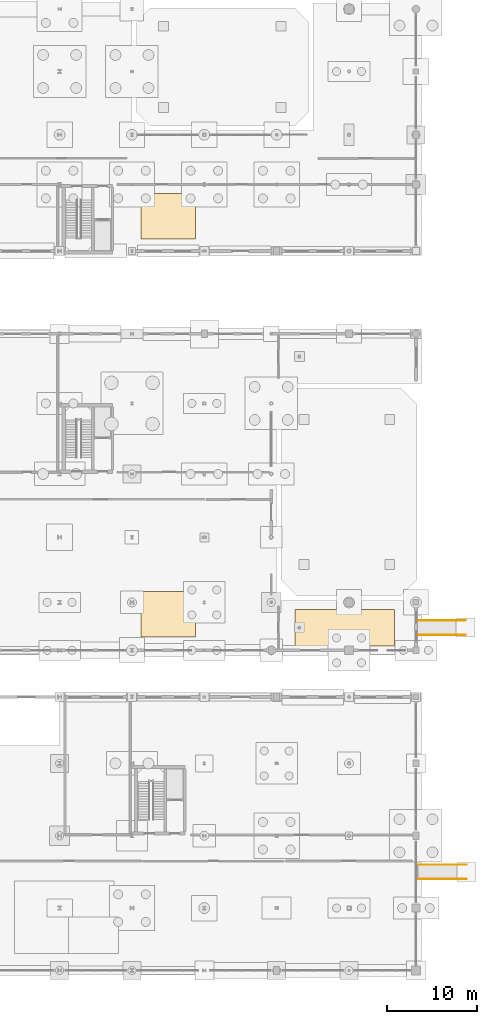
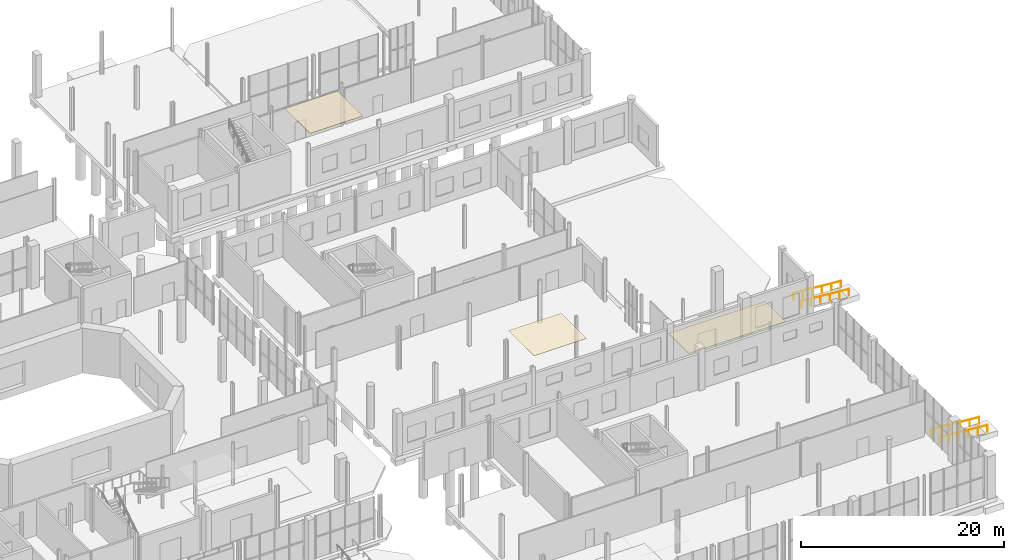
# One storey, part 86 of 87: 4 railings, 3 coverings.
"""IFC4 building model written with IfcOpenShell, lengths in metres."""

from ifc_helpers import new_model, si_unit, direction, frame, origin, origin_2d, place, context, subcontext, project, spatial, rectangle, circle, extrude, material, layer, layer_set, type_object, element, save


model = new_model("IFC4")

# Units and contexts
model_context = context("Model", 3, precision=1e-05, world=origin(), true_north=direction((0.0, 1.0)))
body_context = subcontext(model_context, "Body", "Model", "MODEL_VIEW")
ifc_project = project(units=[si_unit("LENGTHUNIT", "METRE"), si_unit("AREAUNIT", "SQUARE_METRE"), si_unit("VOLUMEUNIT", "CUBIC_METRE"), si_unit("PLANEANGLEUNIT", "RADIAN"), si_unit("MASSUNIT", "GRAM", prefix="KILO")], contexts=[model_context])

# Site, building, storey
site_placement = place(None, origin())
site = spatial("IfcSite", under=ifc_project, at=site_placement, CompositionType="ELEMENT")
building_placement = place(site_placement, origin())
building = spatial("IfcBuilding", under=site, at=building_placement, Name="Brisemont Oceanarium", CompositionType="ELEMENT")
storey_placement = place(building_placement, origin())
storey = spatial("IfcBuildingStorey", under=building, at=storey_placement, Name="L00", CompositionType="ELEMENT", Elevation=0.0)

# Coverings
ifc_material_1 = material(Name="Perforated Marine-Grade Acoustic Baffle Ceiling")
ifc_layer_1 = layer(ifc_material_1, 0.0400390625)
ifc_layer_set_1 = layer_set([ifc_layer_1], Name="Perforated Marine-Grade Acoustic Baffle Ceiling")
covering_type_1 = type_object("IfcCoveringType", Name="COV-CEIL-AC", PredefinedType="CEILING", material=ifc_layer_set_1)
for number, where, z_axis, x_axis, name in (
    (1, (132.0, 40.5, 5.06005859375), (0.0, 0.0, 1.0), (1.0, 0.0, 0.0), "Acoustic baffle ceiling CLG-V5E-L00"),
    (2, (132.0, 84.5, 5.06005859375), (0.0, 0.0, 1.0), (1.0, 0.0, 0.0), "Acoustic baffle ceiling CLG-V6-L00"),
):
    element("IfcCovering", number, at=place(storey_placement, frame(where, z_axis=z_axis, x_axis=x_axis)), inside=storey, type_object=covering_type_1, Name=name, PredefinedType="CEILING", context=body_context, shape_type="SweptSolid", body=[
        extrude(rectangle(XDim=6.0, YDim=5.0, at=origin_2d()), origin(), (0.0, 0.0, 1.0), 0.0400390625),
    ])
ifc_material_2 = material(Name="Epoxy-Bound Recycled Glass Marine Terrazzo", Category="glass")
ifc_layer_2 = layer(ifc_material_2, 0.02490234375)
ifc_layer_set_2 = layer_set([ifc_layer_2], Name="Epoxy-Bound Recycled Glass Marine Terrazzo")
covering_type_2 = type_object("IfcCoveringType", Name="COV-FLR-TER", PredefinedType="FLOORING", material=ifc_layer_set_2)
covering_placement = place(storey_placement, frame((151.5, 39.0, 0.0), z_axis=(0.0, 0.0, 1.0), x_axis=(1.0, 0.0, 0.0)))
element("IfcCovering", 3, at=covering_placement, inside=storey, type_object=covering_type_2, Name="Marine terrazzo flooring FLG-V5E-CAFE", PredefinedType="FLOORING", context=body_context, shape_type="SweptSolid", body=[
    extrude(rectangle(XDim=11.0, YDim=4.0, at=origin_2d()), origin(), (0.0, 0.0, 1.0), 0.02490234375),
])

# Railings
ifc_material_3 = material(Name="Duplex Stainless Steel EN 1.4462", Category="steel")
railing_type = type_object("IfcRailingType", Name="RLG-HAND-900", PredefinedType="HANDRAIL", material=ifc_material_3)
for number, where, name in (
    (4, (165.0, 12.7919921875, -0.449951171875), "Ramp RMP-04 handrail L"),
    (5, (165.0, 11.2080078125, -0.449951171875), "Ramp RMP-04 handrail R"),
    (6, (164.89990234375, 39.7919921875, -0.449951171875), "Ramp RMP-05 handrail L"),
    (7, (164.89990234375, 38.2080078125, -0.449951171875), "Ramp RMP-05 handrail R"),
):
    element("IfcRailing", number, at=place(storey_placement, frame(where)), inside=storey, type_object=railing_type, Name=name, PredefinedType="HANDRAIL", context=body_context, shape_type="SweptSolid", body=[
        extrude(circle(Radius=0.02392578125, at=origin_2d()), frame((0.0, 0.0, 0.8759765625), z_axis=(-0.996546379678, 0.0, 0.083038022323), x_axis=(0.0, -1.0, 0.0)), (0.0, 0.0, 1.0), 5.418701171875),
        extrude(circle(Radius=0.02099609375, at=origin_2d()), origin(), (0.0, 0.0, 1.0), 0.851806640625),
        extrude(circle(Radius=0.02099609375, at=origin_2d()), frame((-1.080078125, 0.0, 0.090087890625)), (0.0, 0.0, 1.0), 0.851806640625),
        extrude(circle(Radius=0.02099609375, at=origin_2d()), frame((-2.159912109375, 0.0, 0.179931640625)), (0.0, 0.0, 1.0), 0.851806640625),
        extrude(circle(Radius=0.02099609375, at=origin_2d()), frame((-3.239990234375, 0.0, 0.27001953125)), (0.0, 0.0, 1.0), 0.851806640625),
        extrude(circle(Radius=0.02099609375, at=origin_2d()), frame((-4.31982421875, 0.0, 0.35986328125)), (0.0, 0.0, 1.0), 0.851806640625),
        extrude(circle(Radius=0.02099609375, at=origin_2d()), frame((-5.39990234375, 0.0, 0.449951171875)), (0.0, 0.0, 1.0), 0.851806640625),
    ])

save(model, "model.ifc")
